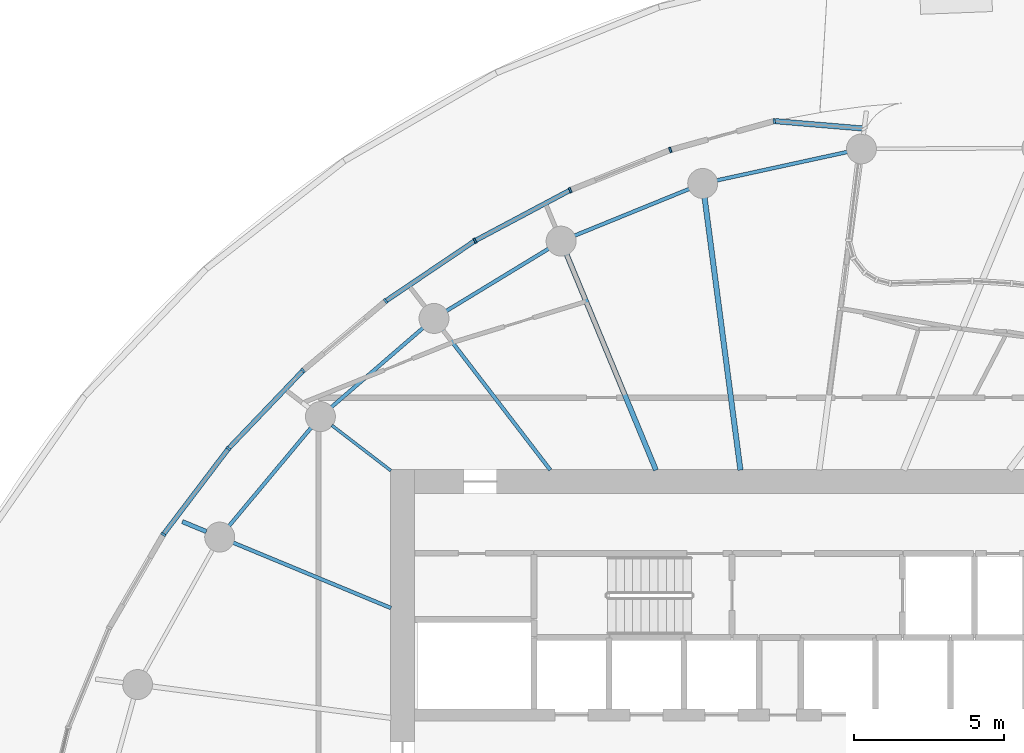
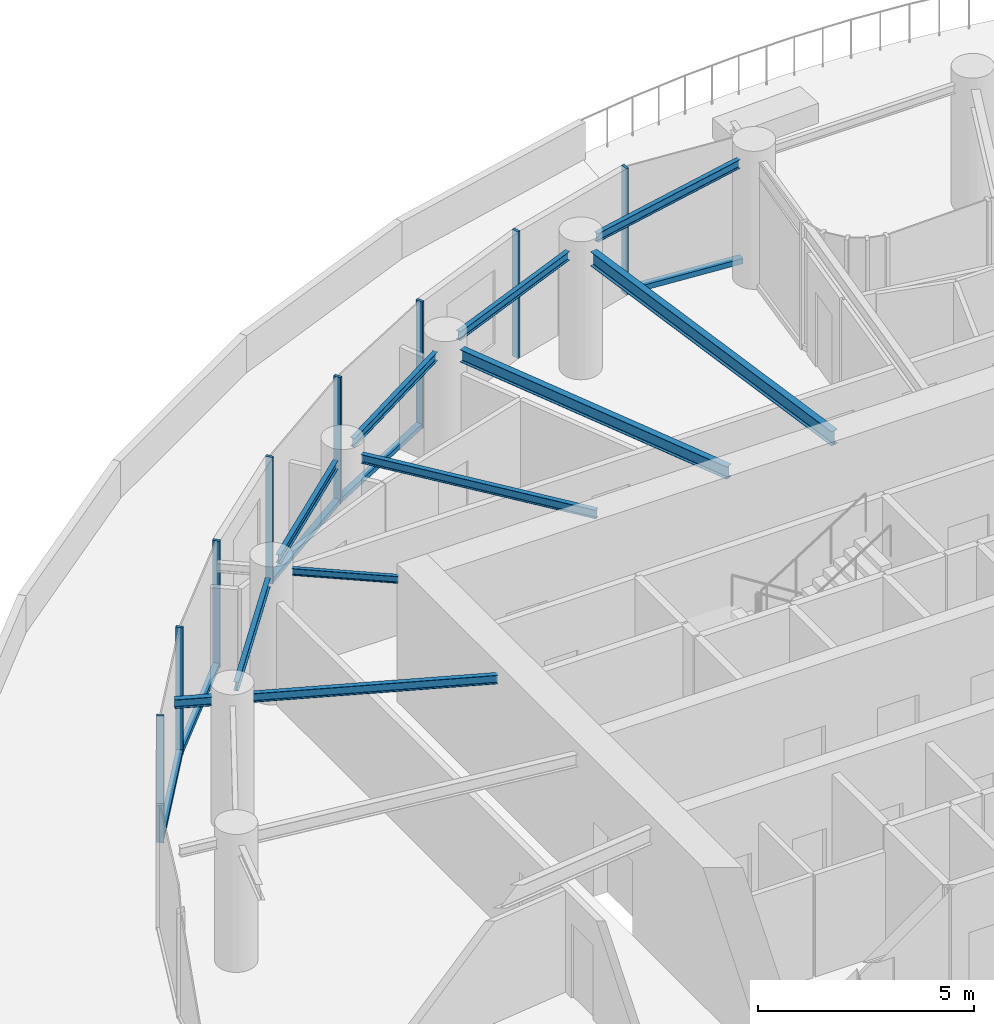
# One storey, part 5 of 21: 13 members, 11 beams, 3 elements without a shape of their own.
"""IFC4 building model written with IfcOpenShell, lengths in metres."""

from ifc_helpers import new_model, si_unit, direction, frame, origin, origin_2d, place, context, subcontext, project, spatial, rectangle, i_section, extrude, source, transform, mapped, material, layer, layer_set, material_profile, profile_set, type_object, element, aggregate, save


model = new_model("IFC4")

# Units and contexts
model_context = context("Model", 3, precision=1e-05, world=origin(), true_north=direction((0.0, 1.0)))
body_context = subcontext(model_context, "Body", "Model", "MODEL_VIEW")
ifc_project = project(units=[si_unit("LENGTHUNIT", "METRE"), si_unit("AREAUNIT", "SQUARE_METRE"), si_unit("VOLUMEUNIT", "CUBIC_METRE"), si_unit("PLANEANGLEUNIT", "RADIAN"), si_unit("MASSUNIT", "GRAM", prefix="KILO")], contexts=[model_context])

# Site, building, storey
site_placement = place(None, origin())
site = spatial("IfcSite", under=ifc_project, at=site_placement, CompositionType="ELEMENT")
building_placement = place(site_placement, origin())
building = spatial("IfcBuilding", under=site, at=building_placement, Name="Spindrift Exchange Tower", CompositionType="ELEMENT")
storey_placement = place(building_placement, frame((0.0, 0.0, 133.10009765625)))
storey = spatial("IfcBuildingStorey", under=building, at=storey_placement, Name="L31", CompositionType="ELEMENT", Elevation=133.10009765625)

# Beams
ifc_material_1 = material(Name="Steel Grade 300", Category="steel")
ifc_material_profile_1 = material_profile(ifc_material_1, i_section(OverallWidth=0.177978515625, OverallDepth=0.403076171875, WebThickness=0.007568359375, FlangeThickness=0.010986328125, FilletRadius=0.013916015625, at=origin_2d()), Name="410UB53.7")
ifc_profile_set_1 = profile_set([ifc_material_profile_1], Name="Steel Grade 300")
beam_type_1 = type_object("IfcBeamType", Name="Floor Beam 410UB53.7 Steel Grade 300", PredefinedType="BEAM", material=ifc_profile_set_1)
shared_shape_1 = source(origin(), body_context, "Body", "SweptSolid", [
    extrude(i_section(OverallWidth=0.177978515625, OverallDepth=0.403076171875, WebThickness=0.007568359375, FlangeThickness=0.010986328125, FilletRadius=0.013916015625, at=origin_2d()), origin(), (0.0, 0.0, 1.0), 9.173583984375),
])
beam_1_placement = place(storey_placement, frame((50.68603515625, 57.980224609375, 3.37841796875), z_axis=(-0.130510963431, 0.991446866163, 0.0), x_axis=(-0.991446866163, -0.130510963431, 0.0)))
element("IfcBeam", 1, at=beam_1_placement, inside=storey, type_object=beam_type_1, Name="L31 radial beam R07A", PredefinedType="BEAM", context=body_context, shape_type="MappedRepresentation", body=[
    mapped(shared_shape_1, transform((0.0, 0.0, 0.0), scale=1.0)),
])
ifc_material_profile_2 = material_profile(ifc_material_1, i_section(OverallWidth=0.1708984375, OverallDepth=0.35205078125, WebThickness=0.0068359375, FlangeThickness=0.009765625, FilletRadius=0.013916015625, at=origin_2d()), Name="360UB44.7")
ifc_profile_set_2 = profile_set([ifc_material_profile_2], Name="Steel Grade 300")
beam_type_2 = type_object("IfcBeamType", Name="Floor Beam 360UB44.7 Steel Grade 300", PredefinedType="BEAM", material=ifc_profile_set_2)
shared_shape_2 = source(origin(), body_context, "Body", "SweptSolid", [
    extrude(i_section(OverallWidth=0.1708984375, OverallDepth=0.35205078125, WebThickness=0.0068359375, FlangeThickness=0.009765625, FilletRadius=0.013916015625, at=origin_2d()), origin(), (0.0, 0.0, 1.0), 7.794189453125),
])
beam_2_placement = place(storey_placement, frame((47.865478515625, 57.9814453125, 3.40380859375), z_axis=(-0.382677309185, 0.923882068792, 0.0), x_axis=(-0.923882068792, -0.382677309185, 0.0)))
element("IfcBeam", 2, at=beam_2_placement, inside=storey, type_object=beam_type_2, Name="L31 radial beam R08A", PredefinedType="BEAM", context=body_context, shape_type="MappedRepresentation", body=[
    mapped(shared_shape_2, transform((0.0, 0.0, 0.0), scale=1.0)),
])
ifc_material_profile_3 = material_profile(ifc_material_1, i_section(OverallWidth=0.1240234375, OverallDepth=0.248046875, WebThickness=0.0048828125, FlangeThickness=0.008056640625, FilletRadius=0.011962890625, at=origin_2d()), Name="250UB25.7")
ifc_profile_set_3 = profile_set([ifc_material_profile_3], Name="Steel Grade 300")
beam_type_3 = type_object("IfcBeamType", Name="Floor Beam 250UB25.7 Steel Grade 300", PredefinedType="BEAM", material=ifc_profile_set_3)
shared_shape_3 = source(origin(), body_context, "Body", "SweptSolid", [
    extrude(i_section(OverallWidth=0.1240234375, OverallDepth=0.248046875, WebThickness=0.0048828125, FlangeThickness=0.008056640625, FilletRadius=0.011962890625, at=origin_2d()), origin(), (0.0, 0.0, 1.0), 5.898193359375),
])
beam_3_placement = place(storey_placement, frame((44.3388671875, 57.984130859375, 3.455810546875), z_axis=(-0.608752144407, 0.79336046453, 0.0), x_axis=(-0.79336046453, -0.608752144407, 0.0)))
element("IfcBeam", 3, at=beam_3_placement, inside=storey, type_object=beam_type_3, Name="L31 radial beam R09A", PredefinedType="BEAM", context=body_context, shape_type="MappedRepresentation", body=[
    mapped(shared_shape_3, transform((0.0, 0.0, 0.0), scale=1.0)),
])
ifc_material_profile_4 = material_profile(ifc_material_1, i_section(OverallWidth=0.09912109375, OverallDepth=0.197998046875, WebThickness=0.00439453125, FlangeThickness=0.007080078125, FilletRadius=0.010986328125, at=origin_2d()), Name="200UB18.2")
ifc_profile_set_4 = profile_set([ifc_material_profile_4], Name="Steel Grade 300")
beam_type_4 = type_object("IfcBeamType", Name="Floor Beam 200UB18.2 Steel Grade 300", PredefinedType="BEAM", material=ifc_profile_set_4)
shared_shape_4 = source(origin(), body_context, "Body", "SweptSolid", [
    extrude(i_section(OverallWidth=0.09912109375, OverallDepth=0.197998046875, WebThickness=0.00439453125, FlangeThickness=0.007080078125, FilletRadius=0.010986328125, at=origin_2d()), origin(), (0.0, 0.0, 1.0), 2.48486328125),
])
beam_4_placement = place(storey_placement, frame((39.015869140625, 57.963134765625, 3.48095703125), z_axis=(-0.793361189889, 0.608751199077, 0.0), x_axis=(-0.608751199077, -0.793361189889, 0.0)))
element("IfcBeam", 4, at=beam_4_placement, inside=storey, type_object=beam_type_4, Name="L31 radial beam R10A", PredefinedType="BEAM", context=body_context, shape_type="MappedRepresentation", body=[
    mapped(shared_shape_4, transform((0.0, 0.0, 0.0), scale=1.0)),
])
shared_shape_5 = source(origin(), body_context, "Body", "SweptSolid", [
    extrude(i_section(OverallWidth=0.1240234375, OverallDepth=0.248046875, WebThickness=0.0048828125, FlangeThickness=0.008056640625, FilletRadius=0.011962890625, at=origin_2d()), origin(), (0.0, 0.0, 1.0), 5.708984375),
])
beam_5_placement = place(storey_placement, frame((39.0185546875, 53.377197265625, 3.455810546875), z_axis=(-0.923889659334, 0.382658983138, 0.0), x_axis=(-0.382658983138, -0.923889659334, 0.0)))
element("IfcBeam", 5, at=beam_5_placement, inside=storey, type_object=beam_type_3, Name="L31 radial beam R11A", PredefinedType="BEAM", context=body_context, shape_type="MappedRepresentation", body=[
    mapped(shared_shape_5, transform((0.0, 0.0, 0.0), scale=1.0)),
])
ifc_material_profile_5 = material_profile(ifc_material_1, i_section(OverallWidth=0.14599609375, OverallDepth=0.251953125, WebThickness=0.006103515625, FlangeThickness=0.008544921875, FilletRadius=0.011962890625, at=origin_2d()), Name="250UB31.4")
ifc_profile_set_5 = profile_set([ifc_material_profile_5], Name="Steel Grade 300")
beam_type_5 = type_object("IfcBeamType", Name="Cantilever Beam 250UB31.4 Steel Grade 300", PredefinedType="BEAM", material=ifc_profile_set_5)
shared_shape_6 = source(origin(), body_context, "Body", "SweptSolid", [
    extrude(i_section(OverallWidth=0.14599609375, OverallDepth=0.251953125, WebThickness=0.006103515625, FlangeThickness=0.008544921875, FilletRadius=0.011962890625, at=origin_2d()), origin(), (0.0, 0.0, 1.0), 0.87109375),
])
beam_6_placement = place(storey_placement, frame((32.857177734375, 55.92919921875, 3.453857421875), z_axis=(-0.923804986422, 0.382863352989, 0.0), x_axis=(-0.382863352989, -0.923804986422, 0.0)))
element("IfcBeam", 6, at=beam_6_placement, inside=storey, type_object=beam_type_5, Name="L31 cantilever beam R11T", PredefinedType="BEAM", context=body_context, shape_type="MappedRepresentation", body=[
    mapped(shared_shape_6, transform((0.0, 0.0, 0.0), scale=1.0)),
])
ifc_material_profile_6 = material_profile(ifc_material_1, i_section(OverallWidth=0.1240234375, OverallDepth=0.248046875, WebThickness=0.0048828125, FlangeThickness=0.008056640625, FilletRadius=0.011962890625, at=origin_2d()), Name="250UB25.7")
ifc_profile_set_6 = profile_set([ifc_material_profile_6], Name="Steel Grade 300")
beam_type_6 = type_object("IfcBeamType", Name="Edge Beam 250UB25.7 Steel Grade 300", PredefinedType="SPANDREL", material=ifc_profile_set_6)
shared_shape_7 = source(origin(), body_context, "Body", "SweptSolid", [
    extrude(i_section(OverallWidth=0.1240234375, OverallDepth=0.248046875, WebThickness=0.0048828125, FlangeThickness=0.008056640625, FilletRadius=0.011962890625, at=origin_2d()), origin(), (0.0, 0.0, 1.0), 4.464111328125),
])
beam_7_placement = place(storey_placement, frame((54.2568359375, 68.603271484375, 3.455810546875), z_axis=(-0.977095837978, -0.212799726048, 0.0), x_axis=(0.212799726048, -0.977095837978, 0.0)))
element("IfcBeam", 7, at=beam_7_placement, inside=storey, type_object=beam_type_6, Name="L31 edge beam E06", PredefinedType="SPANDREL", context=body_context, shape_type="MappedRepresentation", body=[
    mapped(shared_shape_7, transform((0.0, 0.0, 0.0), scale=1.0)),
])
shared_shape_8 = source(origin(), body_context, "Body", "SweptSolid", [
    extrude(i_section(OverallWidth=0.1240234375, OverallDepth=0.248046875, WebThickness=0.0048828125, FlangeThickness=0.008056640625, FilletRadius=0.011962890625, at=origin_2d()), origin(), (0.0, 0.0, 1.0), 4.143798828125),
])
beam_8_placement = place(storey_placement, frame((48.9814453125, 67.3701171875, 3.455810546875), z_axis=(-0.926113706975, -0.377244485385, 0.0), x_axis=(0.377244485385, -0.926113706975, 0.0)))
element("IfcBeam", 8, at=beam_8_placement, inside=storey, type_object=beam_type_6, Name="L31 edge beam E07", PredefinedType="SPANDREL", context=body_context, shape_type="MappedRepresentation", body=[
    mapped(shared_shape_8, transform((0.0, 0.0, 0.0), scale=1.0)),
])
shared_shape_9 = source(origin(), body_context, "Body", "SweptSolid", [
    extrude(i_section(OverallWidth=0.1240234375, OverallDepth=0.248046875, WebThickness=0.0048828125, FlangeThickness=0.008056640625, FilletRadius=0.011962890625, at=origin_2d()), origin(), (0.0, 0.0, 1.0), 4.00634765625),
])
beam_9_placement = place(storey_placement, frame((44.2890625, 65.376220703125, 3.455810546875), z_axis=(-0.854331495603, -0.519728482596, 0.0), x_axis=(0.519728482596, -0.854331495603, 0.0)))
element("IfcBeam", 9, at=beam_9_placement, inside=storey, type_object=beam_type_6, Name="L31 edge beam E08", PredefinedType="SPANDREL", context=body_context, shape_type="MappedRepresentation", body=[
    mapped(shared_shape_9, transform((0.0, 0.0, 0.0), scale=1.0)),
])
shared_shape_10 = source(origin(), body_context, "Body", "SweptSolid", [
    extrude(i_section(OverallWidth=0.1240234375, OverallDepth=0.248046875, WebThickness=0.0048828125, FlangeThickness=0.008056640625, FilletRadius=0.011962890625, at=origin_2d()), origin(), (0.0, 0.0, 1.0), 4.052001953125),
])
beam_10_placement = place(storey_placement, frame((40.093017578125, 62.730712890625, 3.455810546875), z_axis=(-0.756715968535, -0.65374379, 0.0), x_axis=(0.65374379, -0.756715968535, 0.0)))
element("IfcBeam", 10, at=beam_10_placement, inside=storey, type_object=beam_type_6, Name="L31 edge beam E09", PredefinedType="SPANDREL", context=body_context, shape_type="MappedRepresentation", body=[
    mapped(shared_shape_10, transform((0.0, 0.0, 0.0), scale=1.0)),
])
shared_shape_11 = source(origin(), body_context, "Body", "SweptSolid", [
    extrude(i_section(OverallWidth=0.1240234375, OverallDepth=0.248046875, WebThickness=0.0048828125, FlangeThickness=0.008056640625, FilletRadius=0.011962890625, at=origin_2d()), origin(), (0.0, 0.0, 1.0), 4.282958984375),
])
beam_11_placement = place(storey_placement, frame((36.355712890625, 59.399658203125, 3.455810546875), z_axis=(-0.641400288548, -0.767206406289, 0.0), x_axis=(0.767206406289, -0.641400288548, 0.0)))
element("IfcBeam", 11, at=beam_11_placement, inside=storey, type_object=beam_type_6, Name="L31 edge beam E10", PredefinedType="SPANDREL", context=body_context, shape_type="MappedRepresentation", body=[
    mapped(shared_shape_11, transform((0.0, 0.0, 0.0), scale=1.0)),
])

# Curtain wall, members
ifc_material_2 = material(Name="Fritted laminated glass with bronze frame", Category="glass")
ifc_layer_1 = layer(ifc_material_2, 0.179931640625)
ifc_layer_set_1 = layer_set([ifc_layer_1], Name="ZONE 3 BRONZE FRITTED WALL")
curtain_wall_type_1 = type_object("IfcCurtainWallType", Name="ZONE 3 BRONZE FRITTED WALL", PredefinedType="NOTDEFINED", material=ifc_layer_set_1)
curtain_wall_1_placement = place(storey_placement, origin())
curtain_wall_1 = element("IfcCurtainWall", 12, at=curtain_wall_1_placement, inside=storey, type_object=curtain_wall_type_1, Name="L31 Zone 3 Bronze Fritted Wall run 1", PredefinedType="NOTDEFINED")
ifc_material_3 = material(Name="Bronze anodised aluminium", Category="aluminium")
ifc_material_profile_7 = material_profile(ifc_material_3, rectangle(XDim=0.070068359375, YDim=0.179931640625, at=origin_2d()), Name="ZONE 3 BRONZE FRITTED WALL MULLION 70X180")
ifc_profile_set_7 = profile_set([ifc_material_profile_7], Name="Bronze anodised aluminium")
member_type_1 = type_object("IfcMemberType", Name="ZONE 3 BRONZE FRITTED WALL MULLION 70X180", PredefinedType="MULLION", material=ifc_profile_set_7)
shared_shape_12 = source(origin(), body_context, "Body", "SweptSolid", [
    extrude(rectangle(XDim=0.070068359375, YDim=0.179931640625, at=origin_2d()), origin(), (0.0, 0.0, 1.0), 3.579833984375),
])
member_1_placement = place(storey_placement, frame((51.81494140625, 69.634033203125, 0.0), z_axis=(0.0, 0.0, 1.0), x_axis=(-0.995630629935, -0.093379059407, 0.0)))
member_1 = element("IfcMember", 13, at=member_1_placement, type_object=member_type_1, Name="L31 mullion CW-3.1", PredefinedType="MULLION", context=body_context, shape_type="MappedRepresentation", body=[
    mapped(shared_shape_12, transform((0.0, 0.0, 0.0), scale=1.0)),
])
member_2_placement = place(storey_placement, frame((48.345458984375, 68.6708984375, 0.0), z_axis=(0.0, 0.0, 1.0), x_axis=(-0.947230100684, -0.320554420275, 0.0)))
member_2 = element("IfcMember", 14, at=member_2_placement, type_object=member_type_1, Name="L31 mullion CW-3.2", PredefinedType="MULLION", context=body_context, shape_type="MappedRepresentation", body=[
    mapped(shared_shape_12, transform((0.0, 0.0, 0.0), scale=1.0)),
])
member_3_placement = place(storey_placement, frame((45.004150390625, 67.3291015625, 0.0), z_axis=(0.0, 0.0, 1.0), x_axis=(-0.906749619284, -0.421669453396, 0.0)))
member_3 = element("IfcMember", 15, at=member_3_placement, type_object=member_type_1, Name="L31 mullion CW-3.3", PredefinedType="MULLION", context=body_context, shape_type="MappedRepresentation", body=[
    mapped(shared_shape_12, transform((0.0, 0.0, 0.0), scale=1.0)),
])
member_4_placement = place(storey_placement, frame((41.82470703125, 65.638671875, 0.0), z_axis=(0.0, 0.0, 1.0), x_axis=(-0.857097547281, -0.515154146295, 0.0)))
member_4 = element("IfcMember", 16, at=member_4_placement, type_object=member_type_1, Name="L31 mullion CW-3.4", PredefinedType="MULLION", context=body_context, shape_type="MappedRepresentation", body=[
    mapped(shared_shape_12, transform((0.0, 0.0, 0.0), scale=1.0)),
])
member_5_placement = place(storey_placement, frame((38.840087890625, 63.624267578125, 0.0), z_axis=(0.0, 0.0, 1.0), x_axis=(-0.798200908832, -0.602391325584, 0.0)))
member_5 = element("IfcMember", 17, at=member_5_placement, type_object=member_type_1, Name="L31 mullion CW-3.5", PredefinedType="MULLION", context=body_context, shape_type="MappedRepresentation", body=[
    mapped(shared_shape_12, transform((0.0, 0.0, 0.0), scale=1.0)),
])
member_6_placement = place(storey_placement, frame((36.084228515625, 61.306396484375, 0.0), z_axis=(0.0, 0.0, 1.0), x_axis=(-0.729214789316, -0.684284875649, 0.0)))
member_6 = element("IfcMember", 18, at=member_6_placement, type_object=member_type_1, Name="L31 mullion CW-3.6", PredefinedType="MULLION", context=body_context, shape_type="MappedRepresentation", body=[
    mapped(shared_shape_12, transform((0.0, 0.0, 0.0), scale=1.0)),
])

curtain_wall_2_placement = place(storey_placement, origin())
curtain_wall_2 = element("IfcCurtainWall", 19, at=curtain_wall_2_placement, inside=storey, type_object=curtain_wall_type_1, Name="L31 Zone 3 Bronze Fritted Wall run 2", PredefinedType="NOTDEFINED")
member_7_placement = place(storey_placement, frame((33.59619140625, 58.70361328125, 0.0), z_axis=(0.0, 0.0, 1.0), x_axis=(-0.648548482989, -0.761173347676, 0.0)))
member_7 = element("IfcMember", 20, at=member_7_placement, type_object=member_type_1, Name="L31 mullion CW-3.7", PredefinedType="MULLION", context=body_context, shape_type="MappedRepresentation", body=[
    mapped(shared_shape_12, transform((0.0, 0.0, 0.0), scale=1.0)),
])
member_8_placement = place(storey_placement, frame((31.421630859375, 55.833984375, 0.0), z_axis=(0.0, 0.0, 1.0), x_axis=(-0.553819713903, -0.832636610108, 0.0)))
member_8 = element("IfcMember", 21, at=member_8_placement, type_object=member_type_1, Name="L31 mullion CW-3.8", PredefinedType="MULLION", context=body_context, shape_type="MappedRepresentation", body=[
    mapped(shared_shape_12, transform((0.0, 0.0, 0.0), scale=1.0)),
])

# Member
ifc_material_profile_8 = material_profile(ifc_material_3, rectangle(XDim=0.159912109375, YDim=0.1298828125, at=origin_2d()), Name="ZONE 3 BRONZE FRITTED WALL TRANSOM 160X130")
ifc_profile_set_8 = profile_set([ifc_material_profile_8], Name="Bronze anodised aluminium")
member_type_2 = type_object("IfcMemberType", Name="ZONE 3 BRONZE FRITTED WALL TRANSOM 160X130", PredefinedType="USERDEFINED", material=ifc_profile_set_8)
shared_shape_13 = source(origin(), body_context, "Body", "SweptSolid", [
    extrude(rectangle(XDim=0.159912109375, YDim=0.1298828125, at=origin_2d()), origin(), (0.0, 0.0, 1.0), 3.53076171875),
])
member_9_placement = place(storey_placement, frame((44.97314453125, 67.312744140625, 0.06494140625), z_axis=(-0.882930329793, -0.469504028451, 0.0), x_axis=(0.469504028451, -0.882930329793, 0.0)))
member_9 = element("IfcMember", 22, at=member_9_placement, type_object=member_type_2, Name="L31 transom CW-3.3", ObjectType="TRANSOM", PredefinedType="USERDEFINED", context=body_context, shape_type="MappedRepresentation", body=[
    mapped(shared_shape_13, transform((0.0, 0.0, 0.0), scale=1.0)),
])

member_10_placement = place(storey_placement, frame((33.5751953125, 58.67578125, 0.06494140625), z_axis=(-0.603997465016, -0.79698623718, 0.0), x_axis=(0.79698623718, -0.603997465016, 0.0)))
member_10 = element("IfcMember", 23, at=member_10_placement, type_object=member_type_2, Name="L31 transom CW-3.7", ObjectType="TRANSOM", PredefinedType="USERDEFINED", context=body_context, shape_type="MappedRepresentation", body=[
    mapped(shared_shape_13, transform((0.0, 0.0, 0.0), scale=1.0)),
])

aggregate(curtain_wall_2, [member_7, member_10, member_8])

shared_shape_14 = source(origin(), body_context, "Body", "SweptSolid", [
    extrude(rectangle(XDim=0.159912109375, YDim=0.1298828125, at=origin_2d()), origin(), (0.0, 0.0, 1.0), 3.531005859375),
])
member_11_placement = place(storey_placement, frame((41.795654296875, 65.619140625, 0.06494140625), z_axis=(-0.828877529257, -0.559430104206, 0.0), x_axis=(0.559430104206, -0.828877529257, 0.0)))
member_11 = element("IfcMember", 24, at=member_11_placement, type_object=member_type_2, Name="L31 transom CW-3.4", ObjectType="TRANSOM", PredefinedType="USERDEFINED", context=body_context, shape_type="MappedRepresentation", body=[
    mapped(shared_shape_14, transform((0.0, 0.0, 0.0), scale=1.0)),
])

shared_shape_15 = source(origin(), body_context, "Body", "SweptSolid", [
    extrude(rectangle(XDim=0.159912109375, YDim=0.1298828125, at=origin_2d()), origin(), (0.0, 0.0, 1.0), 3.5302734375),
])
member_12_placement = place(storey_placement, frame((36.06005859375, 61.281005859375, 0.06494140625), z_axis=(-0.690987089601, -0.722867098439, 0.0), x_axis=(0.722867098439, -0.690987089601, 0.0)))
member_12 = element("IfcMember", 25, at=member_12_placement, type_object=member_type_2, Name="L31 transom CW-3.6", ObjectType="TRANSOM", PredefinedType="USERDEFINED", context=body_context, shape_type="MappedRepresentation", body=[
    mapped(shared_shape_15, transform((0.0, 0.0, 0.0), scale=1.0)),
])

aggregate(curtain_wall_1, [member_1, member_2, member_3, member_9, member_4, member_11, member_5, member_6, member_12])

# Curtain wall, member
ifc_layer_2 = layer(ifc_material_2, 0.199951171875)
ifc_layer_set_2 = layer_set([ifc_layer_2], Name="SKY GARDEN BRONZE GLAZED WALL")
curtain_wall_type_2 = type_object("IfcCurtainWallType", Name="SKY GARDEN BRONZE GLAZED WALL", PredefinedType="NOTDEFINED", material=ifc_layer_set_2)
curtain_wall_3_placement = place(storey_placement, origin())
curtain_wall_3 = element("IfcCurtainWall", 26, at=curtain_wall_3_placement, inside=storey, type_object=curtain_wall_type_2, Name="L31 Sky Garden Bronze Glazed Wall run 11", PredefinedType="NOTDEFINED")
ifc_material_profile_9 = material_profile(ifc_material_3, rectangle(XDim=0.179931640625, YDim=0.14990234375, at=origin_2d()), Name="SKY GARDEN BRONZE GLAZED WALL TRANSOM 180X150")
ifc_profile_set_9 = profile_set([ifc_material_profile_9], Name="Bronze anodised aluminium")
member_type_3 = type_object("IfcMemberType", Name="SKY GARDEN BRONZE GLAZED WALL TRANSOM 180X150", PredefinedType="USERDEFINED", material=ifc_profile_set_9)
shared_shape_16 = source(origin(), body_context, "Body", "SweptSolid", [
    extrude(rectangle(XDim=0.179931640625, YDim=0.14990234375, at=origin_2d()), origin(), (0.0, 0.0, 1.0), 2.93701171875),
])
member_13_placement = place(storey_placement, frame((54.7841796875, 69.384765625, 0.074951171875), z_axis=(-0.996497435778, 0.083623325024, 0.0), x_axis=(-0.083623325024, -0.996497435778, 0.0)))
member_13 = element("IfcMember", 27, at=member_13_placement, type_object=member_type_3, Name="L31 transom CW-G.62", ObjectType="TRANSOM", PredefinedType="USERDEFINED", context=body_context, shape_type="MappedRepresentation", body=[
    mapped(shared_shape_16, transform((0.0, 0.0, 0.0), scale=1.0)),
])
aggregate(curtain_wall_3, [member_13])

save(model, "model.ifc")
